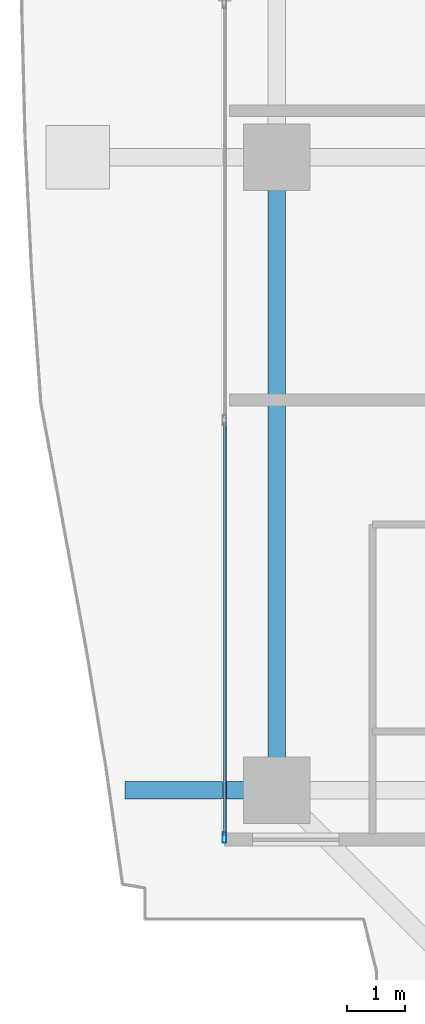
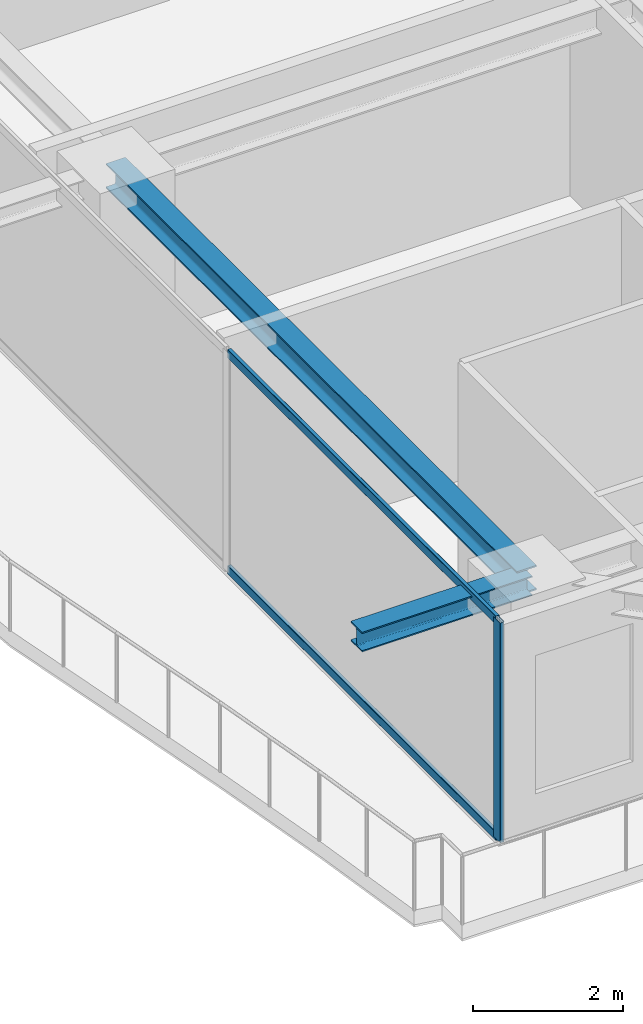
# One storey, part 3 of 38: 3 members, 2 beams, 1 element without a shape of its own.
"""IFC4 building model written with IfcOpenShell, lengths in metres."""

import ifcopenshell
import ifcopenshell.guid

model = None  # the IFC model being written
_history = None  # IfcOwnerHistory: only IFC2X3 demands one
_inside = {}  # id of a spatial element -> (the spatial element, [elements in it])
_under = {}  # id of a project, library or spatial element -> (it, [spatial elements below it])
_declared = {}  # id of a project -> (the project, [libraries it declares])
_typed = {}  # id of a type object -> (the type object, [elements of that type])
_made_of = {}  # id of a material, layer set ... -> (it, [elements and type objects made of it])


def new_model(schema):
    """Start an empty IFC model of exactly this schema.

    Asked for "IFC4X3", IfcOpenShell would pick the latest addendum, in which some entities
    have other attributes; the version numbers below select the first issue.
    IFC2X3 requires an IfcOwnerHistory on every rooted entity: one is made here for all.
    """
    global model, _history
    if schema == "IFC4X3":
        model = ifcopenshell.file(schema_version=(4, 3, 0, 0))
    else:
        model = ifcopenshell.file(schema=schema)
    _inside.clear()
    _under.clear()
    _declared.clear()
    _typed.clear()
    _made_of.clear()
    _history = None
    if model.schema == "IFC2X3":
        org = make("IfcOrganization", Name="unknown")
        user = make(
            "IfcPersonAndOrganization",
            ThePerson=make("IfcPerson", FamilyName="unknown"),
            TheOrganization=org,
        )
        app = make(
            "IfcApplication",
            ApplicationDeveloper=org,
            Version="unknown",
            ApplicationFullName="unknown",
            ApplicationIdentifier="unknown",
        )
        _history = make(
            "IfcOwnerHistory",
            OwningUser=user,
            OwningApplication=app,
            ChangeAction="ADDED",
            CreationDate=0,
        )
    return model


def make(cls, **values):
    """One entity of the class cls with the attributes given. An attribute that is None is left unset."""
    return model.create_entity(
        cls, **{name: value for name, value in values.items() if value is not None}
    )


def rooted(cls, **values):
    """An entity with a GlobalId (a new one), such as an element, a storey or a relation."""
    return make(cls, GlobalId=ifcopenshell.guid.new(), OwnerHistory=_history, **values)


def si_unit(unit_type, name, prefix=None):
    """IfcSIUnit, for example si_unit("LENGTHUNIT", "METRE", prefix="MILLI")."""
    return make("IfcSIUnit", UnitType=unit_type, Prefix=prefix, Name=name)


def assignment(units):
    """IfcUnitAssignment: the units of a project."""
    return None if units is None else make("IfcUnitAssignment", Units=units)


def point(xyz):
    """IfcCartesianPoint."""
    return None if xyz is None else make("IfcCartesianPoint", Coordinates=xyz)


def direction(xyz):
    """IfcDirection."""
    return None if xyz is None else make("IfcDirection", DirectionRatios=xyz)


def frame(location, z_axis=None, x_axis=None):
    """IfcAxis2Placement3D, a coordinate frame: its origin and axes. An axis left out is left unset."""
    return make(
        "IfcAxis2Placement3D",
        Location=point(location),
        Axis=direction(z_axis),
        RefDirection=direction(x_axis),
    )


def frame_2d(location, x_axis=None):
    """IfcAxis2Placement2D, a coordinate frame in the plane: its origin and x axis."""
    return make(
        "IfcAxis2Placement2D", Location=point(location), RefDirection=direction(x_axis)
    )


def origin():
    """The frame at (0, 0, 0) with its axes left unset."""
    return frame((0.0, 0.0, 0.0))


def origin_2d():
    """The frame at (0, 0) in the plane with its x axis left unset."""
    return frame_2d((0.0, 0.0))


def place(relative_to, where):
    """IfcLocalPlacement: puts the frame where relative to a parent placement (None: the world)."""
    return make(
        "IfcLocalPlacement", PlacementRelTo=relative_to, RelativePlacement=where
    )


def context(
    kind, dimensions, precision=None, world=None, true_north=None, identifier=None
):
    """IfcGeometricRepresentationContext, for example the 3D "Model" context."""
    return make(
        "IfcGeometricRepresentationContext",
        ContextIdentifier=identifier,
        ContextType=kind,
        CoordinateSpaceDimension=dimensions,
        Precision=precision,
        WorldCoordinateSystem=world,
        TrueNorth=true_north,
    )


def subcontext(parent, identifier, kind, view, scale=None):
    """IfcGeometricRepresentationSubContext, for example "Body" below "Model"."""
    return make(
        "IfcGeometricRepresentationSubContext",
        ContextIdentifier=identifier,
        ContextType=kind,
        ParentContext=parent,
        TargetScale=scale,
        TargetView=view,
    )


def project(units=None, contexts=None):
    """IfcProject with its units and contexts."""
    return rooted(
        "IfcProject",
        Name="project",
        RepresentationContexts=contexts,
        UnitsInContext=assignment(units),
    )


def spatial(cls, under=None, at=None, **own):
    """A site, building, storey or space (cls), placed at a placement, below another one or the project."""
    s = rooted(cls, ObjectPlacement=at, **own)
    if under is not None:
        _under.setdefault(under.id(), (under, []))[1].append(s)
    return s


def profile(cls, at=None, kind="AREA", **sizes):
    """A parametric profile (cls). Its sizes go by their IFC names, for example OverallWidth=200.0."""
    return make(cls, ProfileType=kind, Position=at, **sizes)


def hollow_rectangle(**sizes):
    """IfcRectangleHollowProfileDef."""
    return profile("IfcRectangleHollowProfileDef", **sizes)


def i_section(**sizes):
    """IfcIShapeProfileDef."""
    return profile("IfcIShapeProfileDef", **sizes)


def extrude(swept, where, along, depth):
    """IfcExtrudedAreaSolid: the profile swept, set in the frame where, extruded along a direction by depth."""
    return make(
        "IfcExtrudedAreaSolid",
        SweptArea=swept,
        Position=where,
        ExtrudedDirection=direction(along),
        Depth=depth,
    )


def shape(context_of_items, identifier, shape_type, items):
    """IfcShapeRepresentation: the items that make up one representation, for example the "Body"."""
    return make(
        "IfcShapeRepresentation",
        ContextOfItems=context_of_items,
        RepresentationIdentifier=identifier,
        RepresentationType=shape_type,
        Items=items,
    )


def source(mapping_origin, context_of_items, identifier, shape_type, items):
    """IfcRepresentationMap: a shape defined once, which mapped items show again and again."""
    return make(
        "IfcRepresentationMap",
        MappingOrigin=mapping_origin,
        MappedRepresentation=shape(context_of_items, identifier, shape_type, items),
    )


def transform(
    local_origin,
    x_axis=None,
    y_axis=None,
    z_axis=None,
    scale=None,
    scale2=None,
    scale3=None,
    uniform=True,
):
    """IfcCartesianTransformationOperator3D, or its non-uniform kind. x_axis, y_axis, z_axis: its Axis1, 2, 3."""
    if uniform:
        return make(
            "IfcCartesianTransformationOperator3D",
            Axis1=direction(x_axis),
            Axis2=direction(y_axis),
            LocalOrigin=point(local_origin),
            Scale=scale,
            Axis3=direction(z_axis),
        )
    return make(
        "IfcCartesianTransformationOperator3DnonUniform",
        Axis1=direction(x_axis),
        Axis2=direction(y_axis),
        LocalOrigin=point(local_origin),
        Scale=scale,
        Axis3=direction(z_axis),
        Scale2=scale2,
        Scale3=scale3,
    )


def mapped(mapping_source, mapping_target):
    """IfcMappedItem: shows the shape of a source again, moved by a transform."""
    return make(
        "IfcMappedItem", MappingSource=mapping_source, MappingTarget=mapping_target
    )


def material(Name=None, Category=None):
    """IfcMaterial."""
    return make("IfcMaterial", Name=Name, Category=Category)


def layer(
    of_material, thickness, ventilated=None, Name=None, Category=None, Priority=None
):
    """IfcMaterialLayer: one layer of a wall or slab, of a material (None: an air gap)."""
    return make(
        "IfcMaterialLayer",
        Material=of_material,
        LayerThickness=thickness,
        IsVentilated=ventilated,
        Name=Name,
        Category=Category,
        Priority=Priority,
    )


def layer_set(layers, Name=None):
    """IfcMaterialLayerSet."""
    return make("IfcMaterialLayerSet", MaterialLayers=layers, LayerSetName=Name)


def material_profile(
    of_material, cross_section, Name=None, Category=None, Priority=None
):
    """IfcMaterialProfile: a cross section and its material."""
    return make(
        "IfcMaterialProfile",
        Name=Name,
        Material=of_material,
        Profile=cross_section,
        Priority=Priority,
        Category=Category,
    )


def profile_set(profiles, Name=None, composite=None):
    """IfcMaterialProfileSet."""
    return make(
        "IfcMaterialProfileSet",
        Name=Name,
        MaterialProfiles=profiles,
        CompositeProfile=composite,
    )


def made_of(thing, what):
    """Note that an element or type object is made of a material, layer set ...; save() writes the relation."""
    if what is not None:
        _made_of.setdefault(what.id(), (what, []))[1].append(thing)
    return thing


def type_object(cls, material=None, **own):
    """A type object (cls), such as IfcWallType, which elements share."""
    return made_of(rooted(cls, **own), material)


def element(
    cls,
    number,
    at=None,
    inside=None,
    cuts=None,
    type_object=None,
    material=None,
    context=None,
    identifier="Body",
    shape_type=None,
    held_by="IfcProductDefinitionShape",
    body=None,
    shapes=None,
    **own,
):
    """One element of the class cls, such as IfcWall. Its Tag is "e" and its number.

    at: its placement. inside: the storey or other place that contains it. cuts: it is an
    opening in that element (IfcRelVoidsElement). A single representation is given by context,
    identifier, shape_type and body (its items); several are given by shapes. held_by: the class
    of the entity that holds the representations. save() writes the other relations.
    """
    e = rooted(cls, Tag="e%d" % number, ObjectPlacement=at, **own)
    if body is not None:
        shapes = [shape(context, identifier, shape_type, body)]
    if shapes is not None:
        e.Representation = make(held_by, Representations=shapes)
    if inside is not None:
        _inside.setdefault(inside.id(), (inside, []))[1].append(e)
    if cuts is not None:
        rooted(
            "IfcRelVoidsElement", RelatingBuildingElement=cuts, RelatedOpeningElement=e
        )
    if type_object is not None:
        _typed.setdefault(type_object.id(), (type_object, []))[1].append(e)
    return made_of(e, material)


def aggregate(whole, parts):
    """IfcRelAggregates: a whole, such as a stair, and the parts it consists of."""
    return rooted("IfcRelAggregates", RelatingObject=whole, RelatedObjects=parts)


def save(model, path):
    """Write the relations noted so far, then the file.

    IfcRelAggregates (storeys below a building ...), IfcRelContainedInSpatialStructure (elements
    in a storey), IfcRelDefinesByType, IfcRelAssociatesMaterial and IfcRelDeclares: one each for
    every whole, place, type object, material and project.
    """
    for whole, parts in _under.values():
        aggregate(whole, parts)
    for where, things in _inside.values():
        rooted(
            "IfcRelContainedInSpatialStructure",
            RelatedElements=things,
            RelatingStructure=where,
        )
    for kind, things in _typed.values():
        rooted("IfcRelDefinesByType", RelatedObjects=things, RelatingType=kind)
    for what, things in _made_of.values():
        rooted("IfcRelAssociatesMaterial", RelatedObjects=things, RelatingMaterial=what)
    for by, libraries in _declared.values():
        rooted("IfcRelDeclares", RelatingContext=by, RelatedDefinitions=libraries)
    model.write(path)


model = new_model("IFC4")

# Units and contexts
model_context = context("Model", 3, precision=1e-05, world=origin(), true_north=direction((0.0, 1.0)))
body_context = subcontext(model_context, "Body", "Model", "MODEL_VIEW")
ifc_project = project(units=[si_unit("LENGTHUNIT", "METRE"), si_unit("AREAUNIT", "SQUARE_METRE"), si_unit("VOLUMEUNIT", "CUBIC_METRE"), si_unit("PLANEANGLEUNIT", "RADIAN"), si_unit("MASSUNIT", "GRAM", prefix="KILO")], contexts=[model_context])

# Site, building, storey
site_placement = place(None, origin())
site = spatial("IfcSite", under=ifc_project, at=site_placement, CompositionType="ELEMENT")
building_placement = place(site_placement, origin())
building = spatial("IfcBuilding", under=site, at=building_placement, Name="Serunith Strait Residences", CompositionType="ELEMENT")
storey_placement = place(building_placement, frame((0.0, 0.0, 237.39990234375)))
storey = spatial("IfcBuildingStorey", under=building, at=storey_placement, Name="L59", CompositionType="ELEMENT", Elevation=237.39990234375)

# Beams
ifc_material_1 = material(Name="Steel S355J2", Category="steel")
ifc_material_profile_1 = material_profile(ifc_material_1, i_section(OverallWidth=0.300048828125, OverallDepth=0.39990234375, WebThickness=0.013427734375, FlangeThickness=0.02392578125, FilletRadius=0.027099609375, at=origin_2d()), Name="HEB 400")
ifc_profile_set_1 = profile_set([ifc_material_profile_1], Name="Steel S355J2")
beam_type_1 = type_object("IfcBeamType", Name="BM-HEB400", PredefinedType="BEAM", material=ifc_profile_set_1)
shared_shape_1 = source(origin(), body_context, "Body", "SweptSolid", [
    extrude(i_section(OverallWidth=0.300048828125, OverallDepth=0.39990234375, WebThickness=0.013427734375, FlangeThickness=0.02392578125, FilletRadius=0.027099609375, at=origin_2d()), origin(), (0.0, 0.0, 1.0), 10.949951171875),
])
beam_1_placement = place(storey_placement, frame((8.300048828125, 21.0, 3.38720703125), z_axis=(0.0, -1.0, 0.0), x_axis=(1.0, 0.0, 0.0)))
element("IfcBeam", 1, at=beam_1_placement, inside=storey, type_object=beam_type_1, Name="L59 Perimeter Ring Beam 15", PredefinedType="BEAM", context=body_context, shape_type="MappedRepresentation", body=[
    mapped(shared_shape_1, transform((0.0, 0.0, 0.0), scale=1.0)),
])
ifc_material_profile_2 = material_profile(ifc_material_1, i_section(OverallWidth=0.300048828125, OverallDepth=0.320068359375, WebThickness=0.011474609375, FlangeThickness=0.0205078125, FilletRadius=0.027099609375, at=origin_2d()), Name="HEB 320")
ifc_profile_set_2 = profile_set([ifc_material_profile_2], Name="Steel S355J2")
beam_type_2 = type_object("IfcBeamType", Name="BM-HEB320", PredefinedType="BEAM", material=ifc_profile_set_2)
shared_shape_2 = source(origin(), body_context, "Body", "SweptSolid", [
    extrude(i_section(OverallWidth=0.300048828125, OverallDepth=0.320068359375, WebThickness=0.011474609375, FlangeThickness=0.0205078125, FilletRadius=0.027099609375, at=origin_2d()), origin(), (0.0, 0.0, 1.0), 2.619384765625),
])
beam_2_placement = place(storey_placement, frame((8.300048828125, 10.050048828125, 3.397216796875), z_axis=(-1.0, 0.0, 0.0), x_axis=(0.0, -1.0, 0.0)))
element("IfcBeam", 2, at=beam_2_placement, inside=storey, type_object=beam_type_2, Name="L60 Cantilevered Balcony Rib TC-W1", PredefinedType="BEAM", context=body_context, shape_type="MappedRepresentation", body=[
    mapped(shared_shape_2, transform((0.0, 0.0, 0.0), scale=1.0)),
])

# Curtain wall, members
ifc_material_2 = material(Name="Pale-Champagne Anodised Aluminium", Category="aluminium")
ifc_layer = layer(ifc_material_2, 0.199951171875, Name="Pale-Champagne Anodised Aluminium")
ifc_layer_set = layer_set([ifc_layer], Name="Pale-Champagne Anodised Aluminium")
curtain_wall_type = type_object("IfcCurtainWallType", Name="CW-SYS4", PredefinedType="NOTDEFINED", material=ifc_layer_set)
curtain_wall_placement = place(storey_placement, origin())
curtain_wall = element("IfcCurtainWall", 3, at=curtain_wall_placement, inside=storey, type_object=curtain_wall_type, Name="L59 W Unitised Fritted Curtain Wall", PredefinedType="NOTDEFINED")
ifc_material_profile_3 = material_profile(ifc_material_2, hollow_rectangle(XDim=0.06005859375, YDim=0.139892578125, WallThickness=0.00341796875, InnerFilletRadius=0.00537109375, OuterFilletRadius=0.0087890625, at=origin_2d()), Name="ALU 140x60x3.5")
ifc_profile_set_3 = profile_set([ifc_material_profile_3], Name="Pale-Champagne Anodised Aluminium")
member_type_1 = type_object("IfcMemberType", Name="CW-SYS4-TRAN", PredefinedType="USERDEFINED", material=ifc_profile_set_3)
shared_shape_3 = source(origin(), body_context, "Body", "SweptSolid", [
    extrude(hollow_rectangle(XDim=0.06005859375, YDim=0.139892578125, WallThickness=0.00341796875, InnerFilletRadius=0.00537109375, OuterFilletRadius=0.0087890625, at=origin_2d()), origin(), (0.0, 0.0, 1.0), 7.152587890625),
])
member_1_placement = place(storey_placement, frame((7.39990234375, 16.41748046875, 0.030029296875), z_axis=(0.0, -1.0, 0.0), x_axis=(1.0, 0.0, 0.0)))
member_1 = element("IfcMember", 4, at=member_1_placement, type_object=member_type_1, Name="CW-4 transom 2.1", ObjectType="TRANSOM", PredefinedType="USERDEFINED", context=body_context, shape_type="MappedRepresentation", body=[
    mapped(shared_shape_3, transform((0.0, 0.0, 0.0), scale=1.0)),
])
member_2_placement = place(storey_placement, frame((7.39990234375, 16.41748046875, 3.545166015625), z_axis=(0.0, -1.0, 0.0), x_axis=(1.0, 0.0, 0.0)))
member_2 = element("IfcMember", 5, at=member_2_placement, type_object=member_type_1, Name="CW-4 transom 2.2", ObjectType="TRANSOM", PredefinedType="USERDEFINED", context=body_context, shape_type="MappedRepresentation", body=[
    mapped(shared_shape_3, transform((0.0, 0.0, 0.0), scale=1.0)),
])
ifc_material_profile_4 = material_profile(ifc_material_2, hollow_rectangle(XDim=0.06494140625, YDim=0.179931640625, WallThickness=0.00341796875, InnerFilletRadius=0.00537109375, OuterFilletRadius=0.0087890625, at=origin_2d()), Name="ALU 180x65x3.5")
ifc_profile_set_4 = profile_set([ifc_material_profile_4], Name="Pale-Champagne Anodised Aluminium")
member_type_2 = type_object("IfcMemberType", Name="CW-SYS4-MULL", PredefinedType="MULLION", material=ifc_profile_set_4)
shared_shape_4 = source(origin(), body_context, "Body", "SweptSolid", [
    extrude(hollow_rectangle(XDim=0.06494140625, YDim=0.179931640625, WallThickness=0.00341796875, InnerFilletRadius=0.00537109375, OuterFilletRadius=0.0087890625, at=origin_2d()), origin(), (0.0, 0.0, 1.0), 3.5751953125),
])
member_3_placement = place(storey_placement, frame((7.39990234375, 9.232421875, 0.0), z_axis=(0.0, 0.0, 1.0), x_axis=(1.0, 0.0, 0.0)))
member_3 = element("IfcMember", 6, at=member_3_placement, type_object=member_type_2, Name="CW-4 mullion 3", PredefinedType="MULLION", context=body_context, shape_type="MappedRepresentation", body=[
    mapped(shared_shape_4, transform((0.0, 0.0, 0.0), scale=1.0)),
])
aggregate(curtain_wall, [member_3, member_1, member_2])

save(model, "model.ifc")
